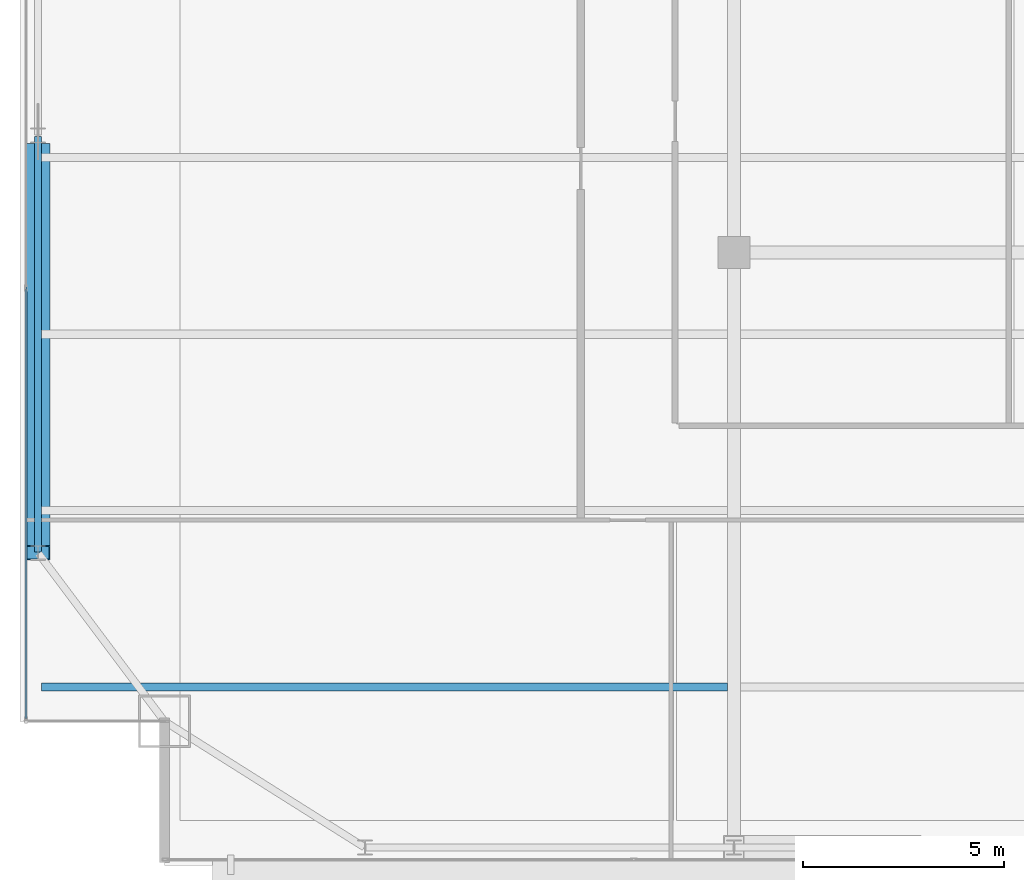
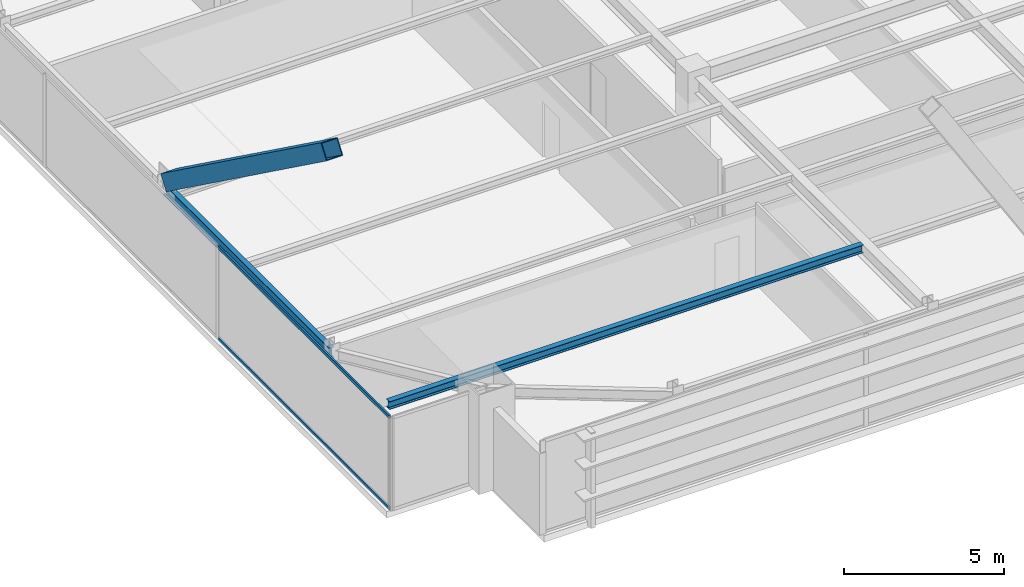
# One storey, part 6 of 30: 3 members, 2 beams, 1 element without a shape of its own.
"""IFC4 building model written with IfcOpenShell, lengths in metres."""

from ifc_helpers import new_model, si_unit, direction, frame, origin, origin_2d, place, context, subcontext, project, spatial, hollow_rectangle, i_section, extrude, source, transform, mapped, material, layer, layer_set, material_profile, profile_set, type_object, type_shapes, element, aggregate, save


model = new_model("IFC4")

# Units and contexts
model_context = context("Model", 3, precision=1e-05, world=origin(), true_north=direction((0.0, 1.0)))
body_context = subcontext(model_context, "Body", "Model", "MODEL_VIEW")
ifc_project = project(units=[si_unit("LENGTHUNIT", "METRE"), si_unit("AREAUNIT", "SQUARE_METRE"), si_unit("VOLUMEUNIT", "CUBIC_METRE"), si_unit("PLANEANGLEUNIT", "RADIAN"), si_unit("MASSUNIT", "GRAM", prefix="KILO")], contexts=[model_context])

# Site, building, storey
site_placement = place(None, origin())
site = spatial("IfcSite", under=ifc_project, at=site_placement, CompositionType="ELEMENT")
building_placement = place(site_placement, origin())
building = spatial("IfcBuilding", under=site, at=building_placement, Name="Varnel Quay Broadcast Tower", CompositionType="ELEMENT")
storey_placement = place(building_placement, frame((0.0, 0.0, 149.60009765625)))
storey = spatial("IfcBuildingStorey", under=building, at=storey_placement, Name="L36", CompositionType="ELEMENT", Elevation=149.60009765625)

# Beams
ifc_material_1 = material(Name="Structural Steel CSA G40.21 350W", Category="steel")
ifc_material_profile_1 = material_profile(ifc_material_1, i_section(OverallWidth=0.180908203125, OverallDepth=0.4169921875, WebThickness=0.010986328125, FlangeThickness=0.018310546875, FilletRadius=0.011962890625, at=origin_2d()), Name="W410X85")
ifc_profile_set_1 = profile_set([ifc_material_profile_1], Name="Structural Steel CSA G40.21 350W")
beam_type_1 = type_object("IfcBeamType", Name="Beam_W410X85", PredefinedType="SPANDREL", material=ifc_profile_set_1)
shared_shape_1 = source(origin(), body_context, "Body", "SweptSolid", [
    extrude(i_section(OverallWidth=0.180908203125, OverallDepth=0.4169921875, WebThickness=0.010986328125, FlangeThickness=0.018310546875, FilletRadius=0.011962890625, at=origin_2d()), origin(), (0.0, 0.0, 1.0), 10.35986328125),
])
type_shapes(beam_type_1, [shared_shape_1])
beam_1_placement = place(storey_placement, frame((7.449951171875, 15.02001953125, 3.34130859375), z_axis=(0.0, 1.0, 0.0), x_axis=(-1.0, 0.0, 0.0)))
element("IfcBeam", 1, at=beam_1_placement, inside=storey, type_object=beam_type_1, Name="L36 West Spandrel TC-W1-TC-W2", PredefinedType="SPANDREL", context=body_context, shape_type="MappedRepresentation", body=[
    mapped(shared_shape_1, transform((0.0, 0.0, 0.0), x_axis=(1.0, 0.0, 0.0), y_axis=(0.0, 1.0, 0.0), z_axis=(0.0, 0.0, 1.0), scale=1.0)),
])
ifc_material_profile_2 = material_profile(ifc_material_1, i_section(OverallWidth=0.202880859375, OverallDepth=0.302978515625, WebThickness=0.007568359375, FlangeThickness=0.01318359375, FilletRadius=0.011962890625, at=origin_2d()), Name="W310X60")
ifc_profile_set_2 = profile_set([ifc_material_profile_2], Name="Structural Steel CSA G40.21 350W")
beam_type_2 = type_object("IfcBeamType", Name="Beam_W310X60", PredefinedType="JOIST", material=ifc_profile_set_2)
shared_shape_2 = source(origin(), body_context, "Body", "SweptSolid", [
    extrude(i_section(OverallWidth=0.202880859375, OverallDepth=0.302978515625, WebThickness=0.007568359375, FlangeThickness=0.01318359375, FilletRadius=0.011962890625, at=origin_2d()), origin(), (0.0, 0.0, 1.0), 17.107177734375),
])
type_shapes(beam_type_2, [shared_shape_2])
beam_2_placement = place(storey_placement, frame((7.535400390625, 11.64990234375, 3.3984375), z_axis=(1.0, 0.0, 0.0), x_axis=(0.0, 1.0, 0.0)))
element("IfcBeam", 2, at=beam_2_placement, inside=storey, type_object=beam_type_2, Name="L36 West Floor Joist 1", PredefinedType="JOIST", context=body_context, shape_type="MappedRepresentation", body=[
    mapped(shared_shape_2, transform((0.0, 0.0, 0.0), x_axis=(1.0, 0.0, 0.0), y_axis=(0.0, 1.0, 0.0), z_axis=(0.0, 0.0, 1.0), scale=1.0)),
])

# Member
ifc_material_2 = material(Name="Structural Steel CSA G40.21 350WT", Category="steel")
ifc_material_profile_3 = material_profile(ifc_material_2, hollow_rectangle(XDim=0.60009765625, YDim=0.60009765625, WallThickness=0.028076171875, at=origin_2d()), Name="BOX600X600X28")
ifc_profile_set_3 = profile_set([ifc_material_profile_3], Name="Structural Steel CSA G40.21 350WT")
member_type_1 = type_object("IfcMemberType", Name="Brace_BOX600X600X28", PredefinedType="BRACE", material=ifc_profile_set_3)
shared_shape_3 = source(origin(), body_context, "Body", "SweptSolid", [
    extrude(hollow_rectangle(XDim=0.60009765625, YDim=0.60009765625, WallThickness=0.028076171875, at=origin_2d()), origin(), (0.0, 0.0, 1.0), 12.3740234375),
])
type_shapes(member_type_1, [shared_shape_3])
member_1_placement = place(storey_placement, frame((7.449951171875, 25.02392578125, 3.874755859375), z_axis=(0.0, -0.810079456088, 0.586320112928), x_axis=(1.0, 0.0, 0.0)))
element("IfcMember", 3, at=member_1_placement, inside=storey, type_object=member_type_1, Name="Zone 3 Mega-Brace W-FT1 Split Diag B2", PredefinedType="BRACE", context=body_context, shape_type="MappedRepresentation", body=[
    mapped(shared_shape_3, transform((0.0, 0.0, 0.0), x_axis=(1.0, 0.0, 0.0), y_axis=(0.0, 1.0, 0.0), z_axis=(0.0, 0.0, 1.0), scale=1.0)),
])

# Curtain wall, members
ifc_material_3 = material(Name="Anodised Bronze Aluminium 6063-T6", Category="aluminium")
ifc_layer = layer(ifc_material_3, 0.18994140625, Name="Anodised Bronze Aluminium 6063-T6")
ifc_layer_set = layer_set([ifc_layer], Name="Anodised Bronze Aluminium 6063-T6")
curtain_wall_type = type_object("IfcCurtainWallType", Name="CW_UpperTower", PredefinedType="NOTDEFINED", material=ifc_layer_set)
curtain_wall_placement = place(storey_placement, origin())
curtain_wall = element("IfcCurtainWall", 4, at=curtain_wall_placement, inside=storey, type_object=curtain_wall_type, Name="L36 West Unitised Curtain Wall", PredefinedType="NOTDEFINED")
ifc_material_profile_4 = material_profile(ifc_material_3, hollow_rectangle(XDim=0.06005859375, YDim=0.125, WallThickness=0.0029296875, at=origin_2d()), Name="ALU60X125X3")
ifc_profile_set_4 = profile_set([ifc_material_profile_4], Name="Anodised Bronze Aluminium 6063-T6")
member_type_2 = type_object("IfcMemberType", Name="Tran_CWS-03", PredefinedType="USERDEFINED", material=ifc_profile_set_4)
shared_shape_4 = source(origin(), body_context, "Body", "SweptSolid", [
    extrude(hollow_rectangle(XDim=0.06005859375, YDim=0.125, WallThickness=0.0029296875, at=origin_2d()), origin(), (0.0, 0.0, 1.0), 10.702392578125),
])
type_shapes(member_type_2, [shared_shape_4])
member_2_placement = place(storey_placement, frame((7.14990234375, 10.864990234375, 0.02978515625), z_axis=(0.0, 1.0, 0.0), x_axis=(-1.0, 0.0, 0.0)))
member_2 = element("IfcMember", 5, at=member_2_placement, type_object=member_type_2, Name="CWS-03 transom 1.1", ObjectType="TRANSOM", PredefinedType="USERDEFINED", context=body_context, shape_type="MappedRepresentation", body=[
    mapped(shared_shape_4, transform((0.0, 0.0, 0.0), x_axis=(1.0, 0.0, 0.0), y_axis=(0.0, 1.0, 0.0), z_axis=(0.0, 0.0, 1.0), scale=1.0)),
])
member_3_placement = place(storey_placement, frame((7.14990234375, 10.864990234375, 3.52001953125), z_axis=(0.0, 1.0, 0.0), x_axis=(-1.0, 0.0, 0.0)))
member_3 = element("IfcMember", 6, at=member_3_placement, type_object=member_type_2, Name="CWS-03 transom 1.2", ObjectType="TRANSOM", PredefinedType="USERDEFINED", context=body_context, shape_type="MappedRepresentation", body=[
    mapped(shared_shape_4, transform((0.0, 0.0, 0.0), x_axis=(1.0, 0.0, 0.0), y_axis=(0.0, 1.0, 0.0), z_axis=(0.0, 0.0, 1.0), scale=1.0)),
])
aggregate(curtain_wall, [member_2, member_3])

save(model, "model.ifc")
